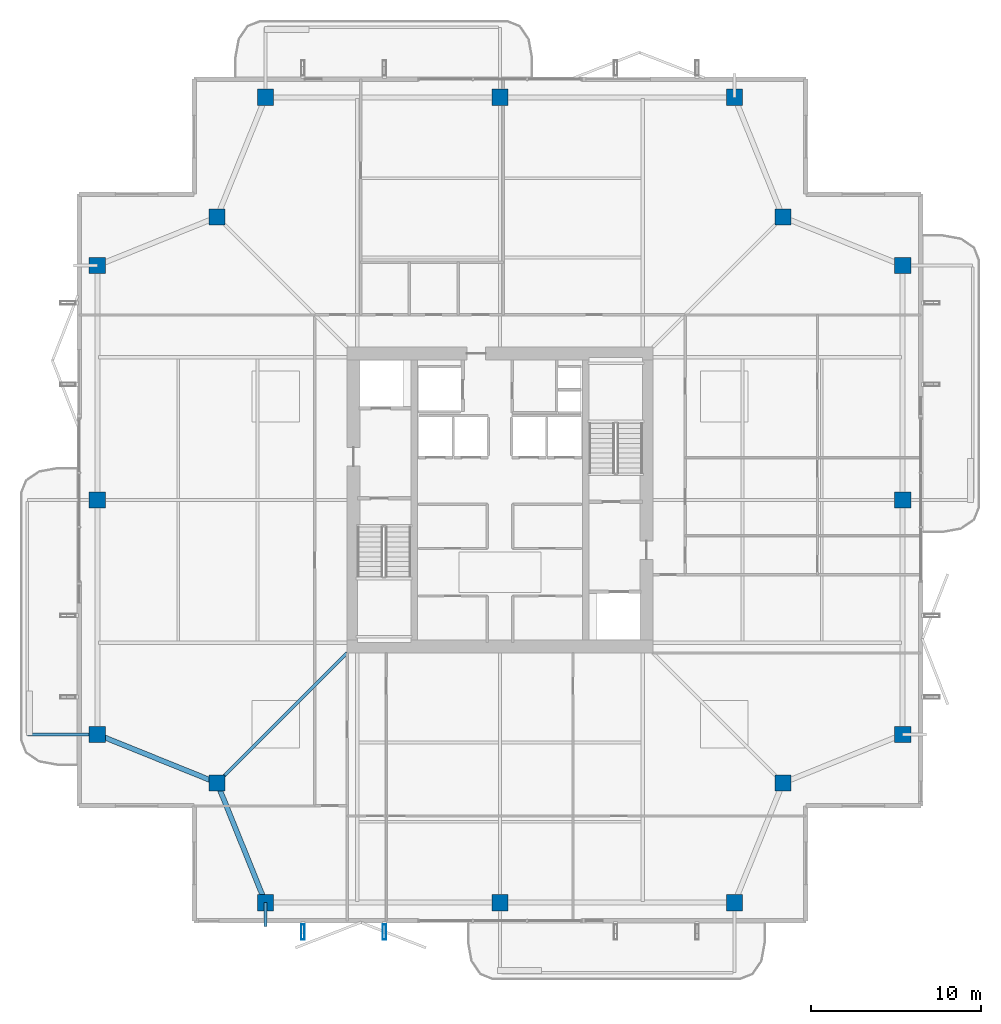
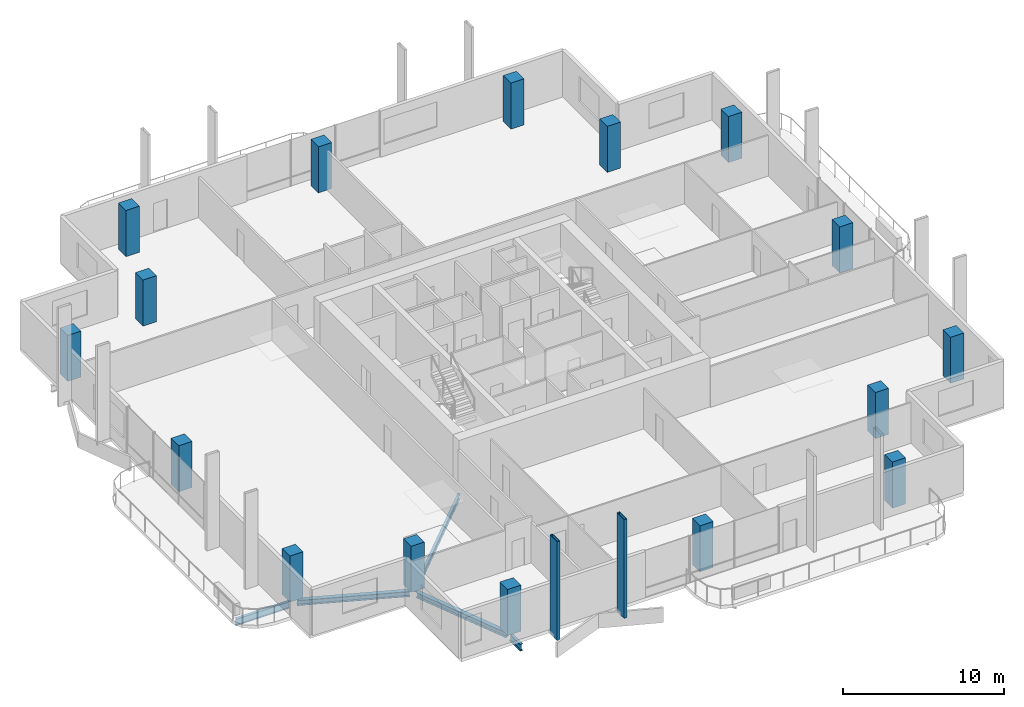
# One storey, part 1 of 25: 16 columns, 5 beams, 2 members.
"""IFC4 building model written with IfcOpenShell, lengths in metres."""

from ifc_helpers import new_model, si_unit, direction, frame, origin, origin_2d, place, context, subcontext, project, spatial, rectangle, hollow_rectangle, i_section, extrude, material, material_profile, profile_set, type_object, element, save


model = new_model("IFC4")

# Units and contexts
model_context = context("Model", 3, precision=1e-05, world=origin(), true_north=direction((0.0, 1.0)))
body_context = subcontext(model_context, "Body", "Model", "MODEL_VIEW")
ifc_project = project(units=[si_unit("LENGTHUNIT", "METRE"), si_unit("AREAUNIT", "SQUARE_METRE"), si_unit("VOLUMEUNIT", "CUBIC_METRE"), si_unit("PLANEANGLEUNIT", "RADIAN"), si_unit("MASSUNIT", "GRAM", prefix="KILO")], contexts=[model_context])

# Site, building, storey
site_placement = place(None, origin())
site = spatial("IfcSite", under=ifc_project, at=site_placement, CompositionType="ELEMENT")
building_placement = place(site_placement, origin())
building = spatial("IfcBuilding", under=site, at=building_placement, Name="Belovzor Exchange Tower", CompositionType="ELEMENT")
storey_placement = place(building_placement, frame((0.0, 0.0, 250.35009765625)))
storey = spatial("IfcBuildingStorey", under=building, at=storey_placement, Name="L62", CompositionType="ELEMENT", Elevation=250.35009765625)

# Columns
ifc_material_1 = material(Name="Concrete C50/60", Category="concrete")
ifc_material_profile_1 = material_profile(ifc_material_1, rectangle(XDim=0.949951171875, YDim=0.949951171875, at=origin_2d()))
ifc_profile_set_1 = profile_set([ifc_material_profile_1], Name="Concrete C50/60")
column_type = type_object("IfcColumnType", Name="Reinforced Concrete Tower Column 950x950", PredefinedType="COLUMN", material=ifc_profile_set_1)
for number, where, z_axis, x_axis, name in (
    (1, (15.0, 5.10009765625, 0.0029296875), (0.0, 0.0, 1.0), (1.0, 0.0, 0.0), "COL-T095 Reinforced Concrete Tower Column 950x950"),
    (2, (28.800048828125, 5.10009765625, 0.0029296875), (0.0, 0.0, 1.0), (1.0, 0.0, 0.0), "COL-T095 Reinforced Concrete Tower Column 950x950"),
    (3, (42.60009765625, 5.10009765625, 0.0029296875), (0.0, 0.0, 1.0), (1.0, 0.0, 0.0), "COL-T095 Reinforced Concrete Tower Column 950x950"),
    (4, (52.5, 15.0, 0.0029296875), (0.0, 0.0, 1.0), (1.0, 0.0, 0.0), "COL-T095 Reinforced Concrete Tower Column 950x950"),
    (5, (52.5, 28.800048828125, 0.0029296875), (0.0, 0.0, 1.0), (1.0, 0.0, 0.0), "COL-T095 Reinforced Concrete Tower Column 950x950"),
    (6, (52.5, 42.60009765625, 0.0029296875), (0.0, 0.0, 1.0), (1.0, 0.0, 0.0), "COL-T095 Reinforced Concrete Tower Column 950x950"),
    (7, (42.60009765625, 52.5, 0.0029296875), (0.0, 0.0, 1.0), (1.0, 0.0, 0.0), "COL-T095 Reinforced Concrete Tower Column 950x950"),
    (8, (28.800048828125, 52.5, 0.0029296875), (0.0, 0.0, 1.0), (1.0, 0.0, 0.0), "COL-T095 Reinforced Concrete Tower Column 950x950"),
    (9, (15.0, 52.5, 0.0029296875), (0.0, 0.0, 1.0), (1.0, 0.0, 0.0), "COL-T095 Reinforced Concrete Tower Column 950x950"),
    (10, (5.10009765625, 42.60009765625, 0.0029296875), (0.0, 0.0, 1.0), (1.0, 0.0, 0.0), "COL-T095 Reinforced Concrete Tower Column 950x950"),
    (11, (5.10009765625, 28.800048828125, 0.0029296875), (0.0, 0.0, 1.0), (1.0, 0.0, 0.0), "COL-T095 Reinforced Concrete Tower Column 950x950"),
    (12, (5.10009765625, 15.0, 0.0029296875), (0.0, 0.0, 1.0), (1.0, 0.0, 0.0), "COL-T095 Reinforced Concrete Tower Column 950x950"),
    (13, (12.14990234375, 12.14990234375, 0.0029296875), (0.0, 0.0, 1.0), (1.0, 0.0, 0.0), "COL-T095 Reinforced Concrete Tower Column 950x950"),
    (14, (45.449951171875, 12.14990234375, 0.0029296875), (0.0, 0.0, 1.0), (1.0, 0.0, 0.0), "COL-T095 Reinforced Concrete Tower Column 950x950"),
    (15, (45.449951171875, 45.449951171875, 0.0029296875), (0.0, 0.0, 1.0), (1.0, 0.0, 0.0), "COL-T095 Reinforced Concrete Tower Column 950x950"),
    (16, (12.14990234375, 45.449951171875, 0.0029296875), (0.0, 0.0, 1.0), (1.0, 0.0, 0.0), "COL-T095 Reinforced Concrete Tower Column 950x950"),
):
    element("IfcColumn", number, at=place(storey_placement, frame(where, z_axis=z_axis, x_axis=x_axis)), inside=storey, type_object=column_type, Name=name, PredefinedType="COLUMN", context=body_context, shape_type="SweptSolid", body=[
        extrude(rectangle(XDim=0.949951171875, YDim=0.949951171875, at=origin_2d()), origin(), (0.0, 0.0, 1.0), 3.493896484375),
    ])

# Beams
ifc_material_2 = material(Name="Steel S355", Category="steel")
ifc_material_profile_2 = material_profile(ifc_material_2, i_section(OverallWidth=0.199951171875, OverallDepth=0.5, WebThickness=0.01025390625, FlangeThickness=0.01611328125, at=origin_2d()))
ifc_profile_set_2 = profile_set([ifc_material_profile_2], Name="Steel S355")
beam_type_1 = type_object("IfcBeamType", Name="Planted Balcony Cantilever Beam IPE 500", PredefinedType="BEAM", material=ifc_profile_set_2)
beam_1_placement = place(storey_placement, frame((4.839111328125, 15.0, -0.5), z_axis=(-1.0, 0.0, 0.0), x_axis=(0.0, -1.0, 0.0)))
element("IfcBeam", 17, at=beam_1_placement, inside=storey, type_object=beam_type_1, Name="BC-500 Planted Balcony Cantilever Beam IPE 500", PredefinedType="BEAM", context=body_context, shape_type="SweptSolid", body=[
    extrude(i_section(OverallWidth=0.199951171875, OverallDepth=0.5, WebThickness=0.01025390625, FlangeThickness=0.01611328125, at=origin_2d()), origin(), (0.0, 0.0, 1.0), 3.85009765625),
])
beam_2_placement = place(storey_placement, frame((15.0, 5.10009765625, -0.5), z_axis=(0.0, -1.0, 0.0), x_axis=(1.0, 0.0, 0.0)))
element("IfcBeam", 18, at=beam_2_placement, inside=storey, type_object=beam_type_1, Name="BC-500 Planted Balcony Cantilever Beam IPE 500", PredefinedType="BEAM", context=body_context, shape_type="SweptSolid", body=[
    extrude(i_section(OverallWidth=0.199951171875, OverallDepth=0.5, WebThickness=0.01025390625, FlangeThickness=0.01611328125, at=origin_2d()), origin(), (0.0, 0.0, 1.0), 1.400146484375),
])

# Members
ifc_material_3 = material(Name="Extruded Architectural Terracotta on Steel S355 Carrier", Category="masonry")
ifc_material_profile_3 = material_profile(ifc_material_3, hollow_rectangle(XDim=0.199951171875, YDim=0.89990234375, WallThickness=0.011962890625, at=origin_2d()))
ifc_profile_set_3 = profile_set([ifc_material_profile_3], Name="Extruded Architectural Terracotta on Steel S355 Carrier")
member_type = type_object("IfcMemberType", Name="Sweeping Terracotta Baguette Fin Assembly 950", PredefinedType="USERDEFINED", material=ifc_profile_set_3)
for number, where, z_axis, x_axis, name in (
    (19, (17.199951171875, 3.375, -0.25), (0.0, 0.0, 1.0), (1.0, 0.0, 0.0), "FIN-TC095 Terracotta Facade Fin L62 S1"),
    (20, (22.0, 3.375, -0.25), (0.0, 0.0, 1.0), (1.0, 0.0, 0.0), "FIN-TC095 Terracotta Facade Fin L62 S2"),
):
    element("IfcMember", number, at=place(storey_placement, frame(where, z_axis=z_axis, x_axis=x_axis)), inside=storey, type_object=member_type, Name=name, ObjectType="FIN", PredefinedType="USERDEFINED", context=body_context, shape_type="SweptSolid", body=[
        extrude(hollow_rectangle(XDim=0.199951171875, YDim=0.89990234375, WallThickness=0.011962890625, at=origin_2d()), origin(), (0.0, 0.0, 1.0), 7.5),
    ])

# Beams
ifc_material_4 = material(Name="Steel S355", Category="steel")
ifc_material_profile_4 = material_profile(ifc_material_4, i_section(OverallWidth=0.300048828125, OverallDepth=0.39990234375, WebThickness=0.013427734375, FlangeThickness=0.02392578125, at=origin_2d()))
ifc_profile_set_4 = profile_set([ifc_material_profile_4], Name="Steel S355")
beam_type_2 = type_object("IfcBeamType", Name="Zone 5 Primary Girder HEB 400", PredefinedType="BEAM", material=ifc_profile_set_4)
for number, where, z_axis, x_axis, name in (
    (21, (12.248046875, 11.907958984375, -0.4501953125), (0.374758283536, -0.927122553345, 0.0), (0.927122553345, 0.374758283536, 0.0), "FG-Z5 Zone 5 Primary Girder HEB 400"),
    (22, (5.342041015625, 14.902099609375, -0.4501953125), (0.927122553345, -0.374758283536, 0.0), (0.374758283536, 0.927122553345, 0.0), "FG-Z5 Zone 5 Primary Girder HEB 400"),
):
    element("IfcBeam", number, at=place(storey_placement, frame(where, z_axis=z_axis, x_axis=x_axis)), inside=storey, type_object=beam_type_2, Name=name, PredefinedType="BEAM", context=body_context, shape_type="SweptSolid", body=[
        extrude(i_section(OverallWidth=0.300048828125, OverallDepth=0.39990234375, WebThickness=0.013427734375, FlangeThickness=0.02392578125, at=origin_2d()), origin(), (0.0, 0.0, 1.0), 7.08203125),
    ])
ifc_material_5 = material(Name="Steel S355", Category="steel")
ifc_material_profile_5 = material_profile(ifc_material_5, i_section(OverallWidth=0.179931640625, OverallDepth=0.39990234375, WebThickness=0.008544921875, FlangeThickness=0.013427734375, at=origin_2d()))
ifc_profile_set_5 = profile_set([ifc_material_profile_5], Name="Steel S355")
beam_type_3 = type_object("IfcBeamType", Name="Zone 5-6 Radial Composite Floor Beam IPE 400", PredefinedType="BEAM", material=ifc_profile_set_5)
beam_3_placement = place(storey_placement, frame((19.800048828125, 19.800048828125, -0.4501953125), z_axis=(-0.707106781187, -0.707106781187, 0.0), x_axis=(0.707106781187, -0.707106781187, 0.0)))
element("IfcBeam", 23, at=beam_3_placement, inside=storey, type_object=beam_type_3, Name="FB-400 Zone 5-6 Radial Composite Floor Beam IPE 400", PredefinedType="BEAM", context=body_context, shape_type="SweptSolid", body=[
    extrude(i_section(OverallWidth=0.179931640625, OverallDepth=0.39990234375, WebThickness=0.008544921875, FlangeThickness=0.013427734375, at=origin_2d()), origin(), (0.0, 0.0, 1.0), 10.482421875),
])

save(model, "model.ifc")
